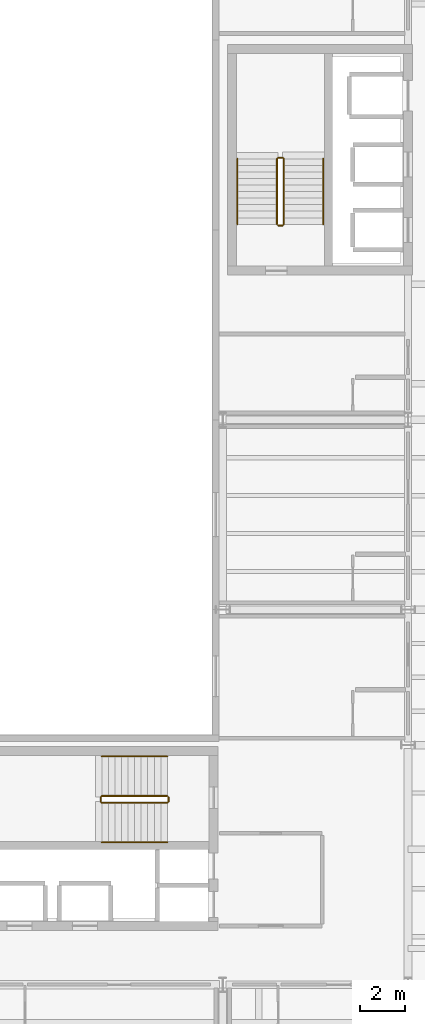
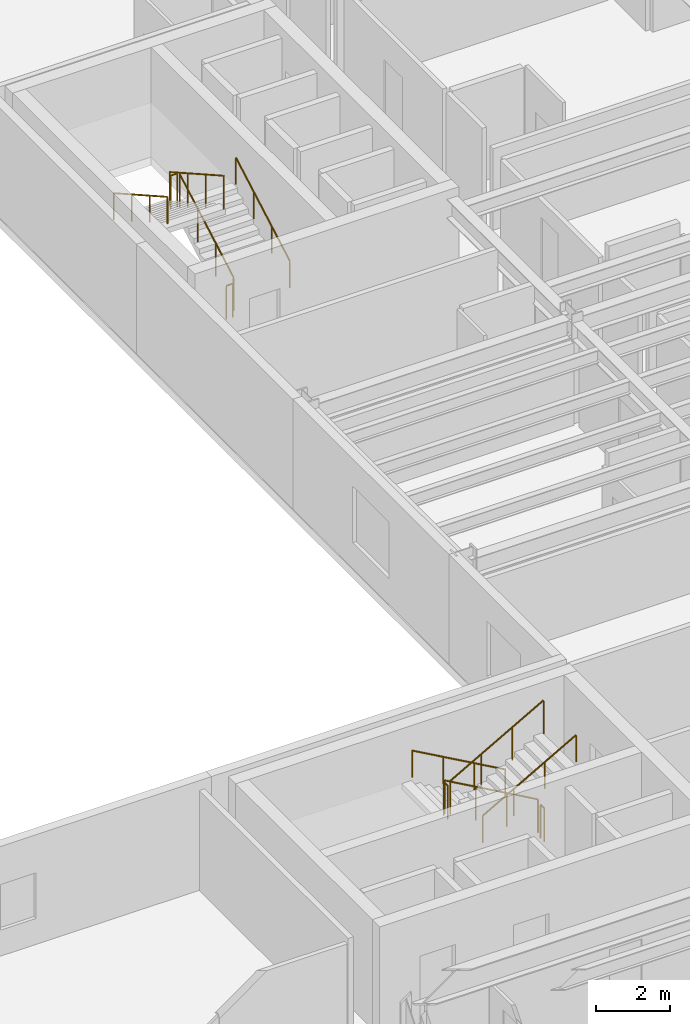
# One storey, part 26 of 27: 12 railings.
"""IFC4 building model written with IfcOpenShell, lengths in metres."""

from ifc_helpers import new_model, si_unit, direction, frame, origin, origin_2d, place, context, subcontext, project, spatial, circle, extrude, material, type_object, element, save


model = new_model("IFC4")

# Units and contexts
model_context = context("Model", 3, precision=1e-05, world=origin(), true_north=direction((0.0, 1.0)))
body_context = subcontext(model_context, "Body", "Model", "MODEL_VIEW")
ifc_project = project(units=[si_unit("LENGTHUNIT", "METRE"), si_unit("AREAUNIT", "SQUARE_METRE"), si_unit("VOLUMEUNIT", "CUBIC_METRE"), si_unit("PLANEANGLEUNIT", "RADIAN"), si_unit("MASSUNIT", "GRAM", prefix="KILO")], contexts=[model_context])

# Site, building, storey
site_placement = place(None, origin())
site = spatial("IfcSite", under=ifc_project, at=site_placement, CompositionType="ELEMENT")
building_placement = place(site_placement, origin())
building = spatial("IfcBuilding", under=site, at=building_placement, Name="Sollismere Congress Hotel", CompositionType="ELEMENT")
storey_placement = place(building_placement, frame((0.0, 0.0, 27.0)))
storey = spatial("IfcBuildingStorey", under=building, at=storey_placement, Name="L06", CompositionType="ELEMENT", Elevation=27.0)

# Railings
ifc_material_1 = material(Name="Steel ASTM A500 Grade C", Category="steel")
railing_type_1 = type_object("IfcRailingType", Name="RL-GRD112", PredefinedType="GUARDRAIL", material=ifc_material_1)
railing_1_placement = place(storey_placement, frame((144.75, 16.550048828125, 0.16357421875)))
element("IfcRailing", 1, at=railing_1_placement, inside=storey, type_object=railing_type_1, Name="RLG-RG-ST-01-L06-1", PredefinedType="GUARDRAIL", context=body_context, shape_type="SweptSolid", body=[
    extrude(circle(Radius=0.02392578125, at=origin_2d()), frame((0.0, 0.0, 1.09619140625), z_axis=(-0.870897200241, 0.0, 0.491465224214), x_axis=(0.0, -1.0, 0.0)), (0.0, 0.0, 1.0), 3.329833984375),
    extrude(circle(Radius=0.02099609375, at=origin_2d()), origin(), (0.0, 0.0, 1.0), 1.072021484375),
    extrude(circle(Radius=0.02099609375, at=origin_2d()), frame((-0.966552734375, 0.0, 0.54541015625)), (0.0, 0.0, 1.0), 1.072021484375),
    extrude(circle(Radius=0.02099609375, at=origin_2d()), frame((-1.933349609375, 0.0, 1.091064453125)), (0.0, 0.0, 1.0), 1.072021484375),
    extrude(circle(Radius=0.02099609375, at=origin_2d()), frame((-2.89990234375, 0.0, 1.636474609375)), (0.0, 0.0, 1.0), 1.072021484375),
])
railing_2_placement = place(storey_placement, frame((141.800048828125, 16.5, 1.800048828125)))
element("IfcRailing", 2, at=railing_2_placement, inside=storey, type_object=railing_type_1, Name="RLG-RG-ST-01-L06-2", PredefinedType="GUARDRAIL", context=body_context, shape_type="SweptSolid", body=[
    extrude(circle(Radius=0.02392578125, at=origin_2d()), frame((0.0, 0.0, 1.09619140625), z_axis=(0.0, -1.0, 0.0), x_axis=(1.0, 0.0, 0.0)), (0.0, 0.0, 1.0), 0.199951171875),
    extrude(circle(Radius=0.02099609375, at=origin_2d()), origin(), (0.0, 0.0, 1.0), 1.072021484375),
    extrude(circle(Radius=0.02099609375, at=origin_2d()), frame((0.0, -0.199951171875, 0.0)), (0.0, 0.0, 1.0), 1.072021484375),
])
railing_3_placement = place(storey_placement, frame((141.85009765625, 16.25, 1.963623046875)))
element("IfcRailing", 3, at=railing_3_placement, inside=storey, type_object=railing_type_1, Name="RLG-RG-ST-01-L06-3", PredefinedType="GUARDRAIL", context=body_context, shape_type="SweptSolid", body=[
    extrude(circle(Radius=0.02392578125, at=origin_2d()), frame((0.0, 0.0, 1.09619140625), z_axis=(0.870897200241, 0.0, 0.491465224214), x_axis=(0.0, 1.0, 0.0)), (0.0, 0.0, 1.0), 3.329833984375),
    extrude(circle(Radius=0.02099609375, at=origin_2d()), origin(), (0.0, 0.0, 1.0), 1.072021484375),
    extrude(circle(Radius=0.02099609375, at=origin_2d()), frame((0.966552734375, 0.0, 0.54541015625)), (0.0, 0.0, 1.0), 1.072021484375),
    extrude(circle(Radius=0.02099609375, at=origin_2d()), frame((1.933349609375, 0.0, 1.091064453125)), (0.0, 0.0, 1.0), 1.072021484375),
    extrude(circle(Radius=0.02099609375, at=origin_2d()), frame((2.89990234375, 0.0, 1.636474609375)), (0.0, 0.0, 1.0), 1.072021484375),
])
railing_4_placement = place(storey_placement, frame((144.800048828125, 16.5, 0.0)))
element("IfcRailing", 4, at=railing_4_placement, inside=storey, type_object=railing_type_1, Name="RLG-RG-ST-01-L06-4", PredefinedType="GUARDRAIL", context=body_context, shape_type="SweptSolid", body=[
    extrude(circle(Radius=0.02392578125, at=origin_2d()), frame((0.0, 0.0, 1.09619140625), z_axis=(0.0, -1.0, 0.0), x_axis=(1.0, 0.0, 0.0)), (0.0, 0.0, 1.0), 0.199951171875),
    extrude(circle(Radius=0.02099609375, at=origin_2d()), origin(), (0.0, 0.0, 1.0), 1.072021484375),
    extrude(circle(Radius=0.02099609375, at=origin_2d()), frame((0.0, -0.199951171875, 0.0)), (0.0, 0.0, 1.0), 1.072021484375),
])
railing_5_placement = place(storey_placement, frame((149.89990234375, 41.85009765625, 0.16357421875)))
element("IfcRailing", 5, at=railing_5_placement, inside=storey, type_object=railing_type_1, Name="RLG-RG-ST-03-L06-1", PredefinedType="GUARDRAIL", context=body_context, shape_type="SweptSolid", body=[
    extrude(circle(Radius=0.02392578125, at=origin_2d()), frame((0.0, 0.0, 1.09619140625), z_axis=(0.0, 0.870897200241, 0.491465224214), x_axis=(-1.0, 0.0, 0.0)), (0.0, 0.0, 1.0), 3.329833984375),
    extrude(circle(Radius=0.02099609375, at=origin_2d()), origin(), (0.0, 0.0, 1.0), 1.072021484375),
    extrude(circle(Radius=0.02099609375, at=origin_2d()), frame((0.0, 0.966552734375, 0.54541015625)), (0.0, 0.0, 1.0), 1.072021484375),
    extrude(circle(Radius=0.02099609375, at=origin_2d()), frame((0.0, 1.933349609375, 1.091064453125)), (0.0, 0.0, 1.0), 1.072021484375),
    extrude(circle(Radius=0.02099609375, at=origin_2d()), frame((0.0, 2.89990234375, 1.636474609375)), (0.0, 0.0, 1.0), 1.072021484375),
])
railing_6_placement = place(storey_placement, frame((149.85009765625, 44.800048828125, 1.800048828125)))
element("IfcRailing", 6, at=railing_6_placement, inside=storey, type_object=railing_type_1, Name="RLG-RG-ST-03-L06-2", PredefinedType="GUARDRAIL", context=body_context, shape_type="SweptSolid", body=[
    extrude(circle(Radius=0.02392578125, at=origin_2d()), frame((0.0, 0.0, 1.09619140625), z_axis=(-1.0, 0.0, 0.0), x_axis=(0.0, -1.0, 0.0)), (0.0, 0.0, 1.0), 0.2001953125),
    extrude(circle(Radius=0.02099609375, at=origin_2d()), origin(), (0.0, 0.0, 1.0), 1.072021484375),
    extrude(circle(Radius=0.02099609375, at=origin_2d()), frame((-0.2001953125, 0.0, 0.0)), (0.0, 0.0, 1.0), 1.072021484375),
])
railing_7_placement = place(storey_placement, frame((149.60009765625, 44.75, 1.963623046875)))
element("IfcRailing", 7, at=railing_7_placement, inside=storey, type_object=railing_type_1, Name="RLG-RG-ST-03-L06-3", PredefinedType="GUARDRAIL", context=body_context, shape_type="SweptSolid", body=[
    extrude(circle(Radius=0.02392578125, at=origin_2d()), frame((0.0, 0.0, 1.09619140625), z_axis=(0.0, -0.870897200241, 0.491465224214), x_axis=(1.0, 0.0, 0.0)), (0.0, 0.0, 1.0), 3.329833984375),
    extrude(circle(Radius=0.02099609375, at=origin_2d()), origin(), (0.0, 0.0, 1.0), 1.072021484375),
    extrude(circle(Radius=0.02099609375, at=origin_2d()), frame((0.0, -0.966552734375, 0.54541015625)), (0.0, 0.0, 1.0), 1.072021484375),
    extrude(circle(Radius=0.02099609375, at=origin_2d()), frame((0.0, -1.933349609375, 1.091064453125)), (0.0, 0.0, 1.0), 1.072021484375),
    extrude(circle(Radius=0.02099609375, at=origin_2d()), frame((0.0, -2.89990234375, 1.636474609375)), (0.0, 0.0, 1.0), 1.072021484375),
])
railing_8_placement = place(storey_placement, frame((149.85009765625, 41.800048828125, 0.0)))
element("IfcRailing", 8, at=railing_8_placement, inside=storey, type_object=railing_type_1, Name="RLG-RG-ST-03-L06-4", PredefinedType="GUARDRAIL", context=body_context, shape_type="SweptSolid", body=[
    extrude(circle(Radius=0.02392578125, at=origin_2d()), frame((0.0, 0.0, 1.09619140625), z_axis=(-1.0, 0.0, 0.0), x_axis=(0.0, -1.0, 0.0)), (0.0, 0.0, 1.0), 0.2001953125),
    extrude(circle(Radius=0.02099609375, at=origin_2d()), origin(), (0.0, 0.0, 1.0), 1.072021484375),
    extrude(circle(Radius=0.02099609375, at=origin_2d()), frame((-0.2001953125, 0.0, 0.0)), (0.0, 0.0, 1.0), 1.072021484375),
])
ifc_material_2 = material(Name="Brushed Architectural Bronze")
railing_type_2 = type_object("IfcRailingType", Name="RL-HND90", PredefinedType="HANDRAIL", material=ifc_material_2)
railing_9_placement = place(storey_placement, frame((144.75, 18.300048828125, 0.30322265625)))
element("IfcRailing", 9, at=railing_9_placement, inside=storey, type_object=railing_type_2, Name="RLG-RH-ST-01-L06-1", PredefinedType="HANDRAIL", context=body_context, shape_type="SweptSolid", body=[
    extrude(circle(Radius=0.02392578125, at=origin_2d()), frame((0.0, 0.0, 0.8759765625), z_axis=(-0.870897200241, 0.0, 0.491465224214), x_axis=(0.0, -1.0, 0.0)), (0.0, 0.0, 1.0), 3.329833984375),
    extrude(circle(Radius=0.02099609375, at=origin_2d()), origin(), (0.0, 0.0, 1.0), 0.851806640625),
    extrude(circle(Radius=0.02099609375, at=origin_2d()), frame((-0.966552734375, 0.0, 0.54541015625)), (0.0, 0.0, 1.0), 0.851806640625),
    extrude(circle(Radius=0.02099609375, at=origin_2d()), frame((-1.933349609375, 0.0, 1.091064453125)), (0.0, 0.0, 1.0), 0.851806640625),
    extrude(circle(Radius=0.02099609375, at=origin_2d()), frame((-2.89990234375, 0.0, 1.636474609375)), (0.0, 0.0, 1.0), 0.851806640625),
])
railing_10_placement = place(storey_placement, frame((141.85009765625, 14.5, 2.103271484375)))
element("IfcRailing", 10, at=railing_10_placement, inside=storey, type_object=railing_type_2, Name="RLG-RH-ST-01-L06-2", PredefinedType="HANDRAIL", context=body_context, shape_type="SweptSolid", body=[
    extrude(circle(Radius=0.02392578125, at=origin_2d()), frame((0.0, 0.0, 0.8759765625), z_axis=(0.870897200241, 0.0, 0.491465224214), x_axis=(0.0, 1.0, 0.0)), (0.0, 0.0, 1.0), 3.329833984375),
    extrude(circle(Radius=0.02099609375, at=origin_2d()), origin(), (0.0, 0.0, 1.0), 0.851806640625),
    extrude(circle(Radius=0.02099609375, at=origin_2d()), frame((0.966552734375, 0.0, 0.54541015625)), (0.0, 0.0, 1.0), 0.851806640625),
    extrude(circle(Radius=0.02099609375, at=origin_2d()), frame((1.933349609375, 0.0, 1.091064453125)), (0.0, 0.0, 1.0), 0.851806640625),
    extrude(circle(Radius=0.02099609375, at=origin_2d()), frame((2.89990234375, 0.0, 1.636474609375)), (0.0, 0.0, 1.0), 0.851806640625),
])
railing_11_placement = place(storey_placement, frame((151.64990234375, 41.85009765625, 0.30322265625)))
element("IfcRailing", 11, at=railing_11_placement, inside=storey, type_object=railing_type_2, Name="RLG-RH-ST-03-L06-1", PredefinedType="HANDRAIL", context=body_context, shape_type="SweptSolid", body=[
    extrude(circle(Radius=0.02392578125, at=origin_2d()), frame((0.0, 0.0, 0.8759765625), z_axis=(0.0, 0.870897200241, 0.491465224214), x_axis=(-1.0, 0.0, 0.0)), (0.0, 0.0, 1.0), 3.329833984375),
    extrude(circle(Radius=0.02099609375, at=origin_2d()), origin(), (0.0, 0.0, 1.0), 0.851806640625),
    extrude(circle(Radius=0.02099609375, at=origin_2d()), frame((0.0, 0.966552734375, 0.54541015625)), (0.0, 0.0, 1.0), 0.851806640625),
    extrude(circle(Radius=0.02099609375, at=origin_2d()), frame((0.0, 1.933349609375, 1.091064453125)), (0.0, 0.0, 1.0), 0.851806640625),
    extrude(circle(Radius=0.02099609375, at=origin_2d()), frame((0.0, 2.89990234375, 1.636474609375)), (0.0, 0.0, 1.0), 0.851806640625),
])
railing_12_placement = place(storey_placement, frame((147.85009765625, 44.75, 2.103271484375)))
element("IfcRailing", 12, at=railing_12_placement, inside=storey, type_object=railing_type_2, Name="RLG-RH-ST-03-L06-2", PredefinedType="HANDRAIL", context=body_context, shape_type="SweptSolid", body=[
    extrude(circle(Radius=0.02392578125, at=origin_2d()), frame((0.0, 0.0, 0.8759765625), z_axis=(0.0, -0.870897200241, 0.491465224214), x_axis=(1.0, 0.0, 0.0)), (0.0, 0.0, 1.0), 3.329833984375),
    extrude(circle(Radius=0.02099609375, at=origin_2d()), origin(), (0.0, 0.0, 1.0), 0.851806640625),
    extrude(circle(Radius=0.02099609375, at=origin_2d()), frame((0.0, -0.966552734375, 0.54541015625)), (0.0, 0.0, 1.0), 0.851806640625),
    extrude(circle(Radius=0.02099609375, at=origin_2d()), frame((0.0, -1.933349609375, 1.091064453125)), (0.0, 0.0, 1.0), 0.851806640625),
    extrude(circle(Radius=0.02099609375, at=origin_2d()), frame((0.0, -2.89990234375, 1.636474609375)), (0.0, 0.0, 1.0), 0.851806640625),
])

save(model, "model.ifc")
